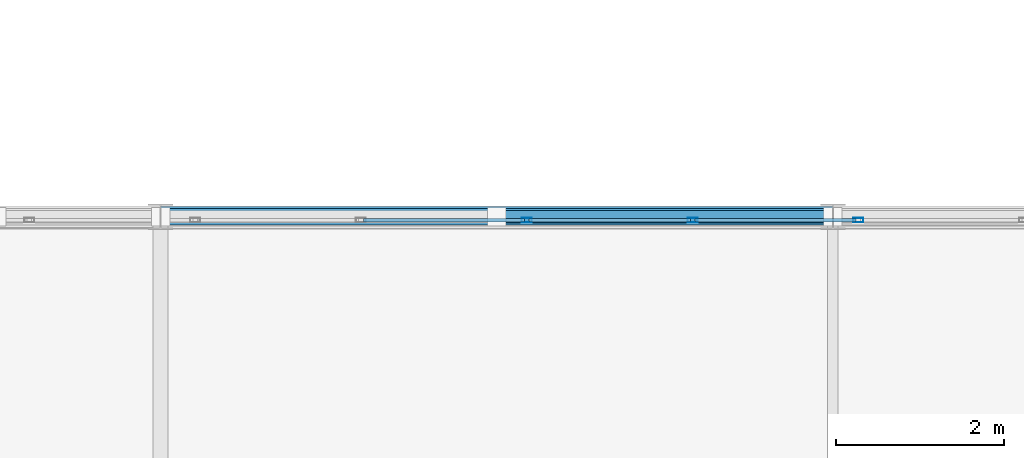
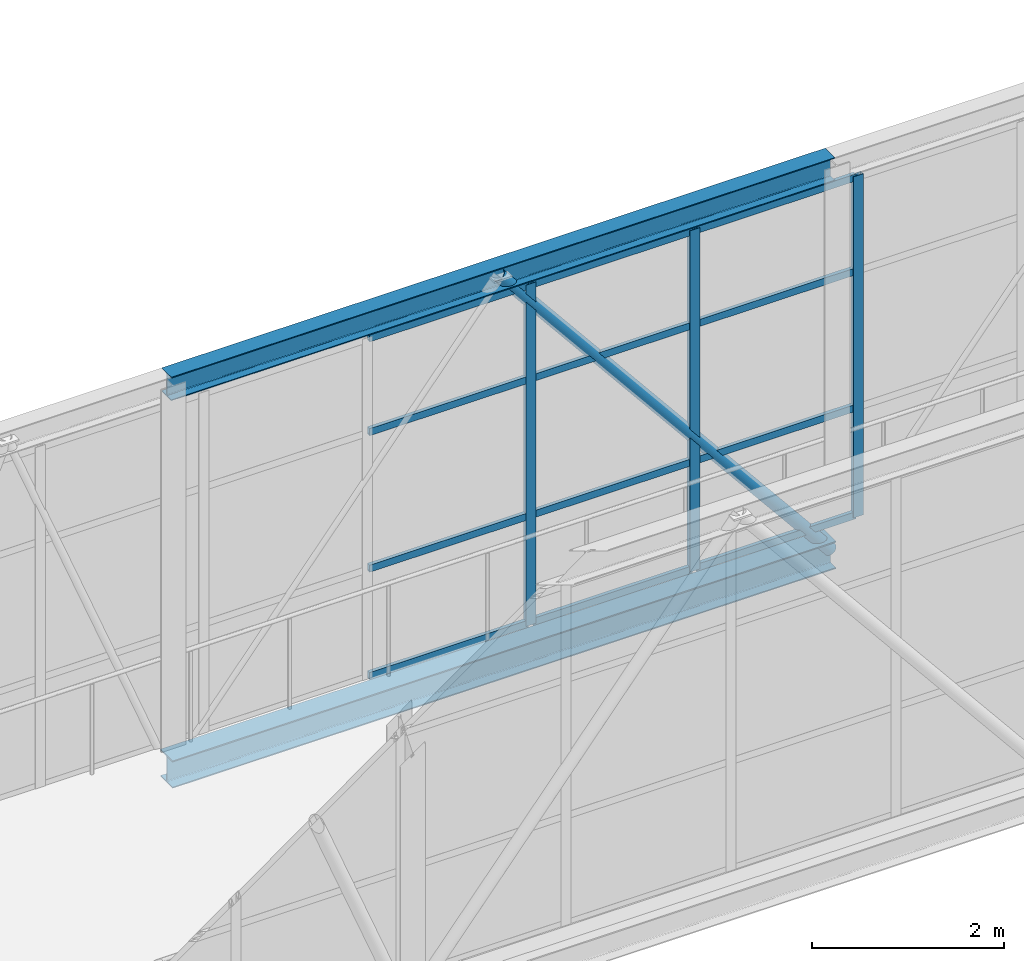
# One storey, part 151 of 248: 18 members, 1 element without a shape of its own.
"""IFC4 building model written with IfcOpenShell, lengths in metres."""

import ifcopenshell
import ifcopenshell.guid

model = None  # the IFC model being written
_history = None  # IfcOwnerHistory: only IFC2X3 demands one
_inside = {}  # id of a spatial element -> (the spatial element, [elements in it])
_under = {}  # id of a project, library or spatial element -> (it, [spatial elements below it])
_declared = {}  # id of a project -> (the project, [libraries it declares])
_typed = {}  # id of a type object -> (the type object, [elements of that type])
_made_of = {}  # id of a material, layer set ... -> (it, [elements and type objects made of it])


def new_model(schema):
    """Start an empty IFC model of exactly this schema.

    Asked for "IFC4X3", IfcOpenShell would pick the latest addendum, in which some entities
    have other attributes; the version numbers below select the first issue.
    IFC2X3 requires an IfcOwnerHistory on every rooted entity: one is made here for all.
    """
    global model, _history
    if schema == "IFC4X3":
        model = ifcopenshell.file(schema_version=(4, 3, 0, 0))
    else:
        model = ifcopenshell.file(schema=schema)
    _inside.clear()
    _under.clear()
    _declared.clear()
    _typed.clear()
    _made_of.clear()
    _history = None
    if model.schema == "IFC2X3":
        org = make("IfcOrganization", Name="unknown")
        user = make(
            "IfcPersonAndOrganization",
            ThePerson=make("IfcPerson", FamilyName="unknown"),
            TheOrganization=org,
        )
        app = make(
            "IfcApplication",
            ApplicationDeveloper=org,
            Version="unknown",
            ApplicationFullName="unknown",
            ApplicationIdentifier="unknown",
        )
        _history = make(
            "IfcOwnerHistory",
            OwningUser=user,
            OwningApplication=app,
            ChangeAction="ADDED",
            CreationDate=0,
        )
    return model


def make(cls, **values):
    """One entity of the class cls with the attributes given. An attribute that is None is left unset."""
    return model.create_entity(
        cls, **{name: value for name, value in values.items() if value is not None}
    )


def rooted(cls, **values):
    """An entity with a GlobalId (a new one), such as an element, a storey or a relation."""
    return make(cls, GlobalId=ifcopenshell.guid.new(), OwnerHistory=_history, **values)


def si_unit(unit_type, name, prefix=None):
    """IfcSIUnit, for example si_unit("LENGTHUNIT", "METRE", prefix="MILLI")."""
    return make("IfcSIUnit", UnitType=unit_type, Prefix=prefix, Name=name)


def assignment(units):
    """IfcUnitAssignment: the units of a project."""
    return None if units is None else make("IfcUnitAssignment", Units=units)


def point(xyz):
    """IfcCartesianPoint."""
    return None if xyz is None else make("IfcCartesianPoint", Coordinates=xyz)


def direction(xyz):
    """IfcDirection."""
    return None if xyz is None else make("IfcDirection", DirectionRatios=xyz)


def frame(location, z_axis=None, x_axis=None):
    """IfcAxis2Placement3D, a coordinate frame: its origin and axes. An axis left out is left unset."""
    return make(
        "IfcAxis2Placement3D",
        Location=point(location),
        Axis=direction(z_axis),
        RefDirection=direction(x_axis),
    )


def frame_2d(location, x_axis=None):
    """IfcAxis2Placement2D, a coordinate frame in the plane: its origin and x axis."""
    return make(
        "IfcAxis2Placement2D", Location=point(location), RefDirection=direction(x_axis)
    )


def origin():
    """The frame at (0, 0, 0) with its axes left unset."""
    return frame((0.0, 0.0, 0.0))


def origin_2d():
    """The frame at (0, 0) in the plane with its x axis left unset."""
    return frame_2d((0.0, 0.0))


def place(relative_to, where):
    """IfcLocalPlacement: puts the frame where relative to a parent placement (None: the world)."""
    return make(
        "IfcLocalPlacement", PlacementRelTo=relative_to, RelativePlacement=where
    )


def context(
    kind, dimensions, precision=None, world=None, true_north=None, identifier=None
):
    """IfcGeometricRepresentationContext, for example the 3D "Model" context."""
    return make(
        "IfcGeometricRepresentationContext",
        ContextIdentifier=identifier,
        ContextType=kind,
        CoordinateSpaceDimension=dimensions,
        Precision=precision,
        WorldCoordinateSystem=world,
        TrueNorth=true_north,
    )


def subcontext(parent, identifier, kind, view, scale=None):
    """IfcGeometricRepresentationSubContext, for example "Body" below "Model"."""
    return make(
        "IfcGeometricRepresentationSubContext",
        ContextIdentifier=identifier,
        ContextType=kind,
        ParentContext=parent,
        TargetScale=scale,
        TargetView=view,
    )


def project(units=None, contexts=None):
    """IfcProject with its units and contexts."""
    return rooted(
        "IfcProject",
        Name="project",
        RepresentationContexts=contexts,
        UnitsInContext=assignment(units),
    )


def spatial(cls, under=None, at=None, **own):
    """A site, building, storey or space (cls), placed at a placement, below another one or the project."""
    s = rooted(cls, ObjectPlacement=at, **own)
    if under is not None:
        _under.setdefault(under.id(), (under, []))[1].append(s)
    return s


def profile(cls, at=None, kind="AREA", **sizes):
    """A parametric profile (cls). Its sizes go by their IFC names, for example OverallWidth=200.0."""
    return make(cls, ProfileType=kind, Position=at, **sizes)


def hollow_rectangle(**sizes):
    """IfcRectangleHollowProfileDef."""
    return profile("IfcRectangleHollowProfileDef", **sizes)


def hollow_circle(**sizes):
    """IfcCircleHollowProfileDef."""
    return profile("IfcCircleHollowProfileDef", **sizes)


def i_section(**sizes):
    """IfcIShapeProfileDef."""
    return profile("IfcIShapeProfileDef", **sizes)


def extrude(swept, where, along, depth):
    """IfcExtrudedAreaSolid: the profile swept, set in the frame where, extruded along a direction by depth."""
    return make(
        "IfcExtrudedAreaSolid",
        SweptArea=swept,
        Position=where,
        ExtrudedDirection=direction(along),
        Depth=depth,
    )


def shape(context_of_items, identifier, shape_type, items):
    """IfcShapeRepresentation: the items that make up one representation, for example the "Body"."""
    return make(
        "IfcShapeRepresentation",
        ContextOfItems=context_of_items,
        RepresentationIdentifier=identifier,
        RepresentationType=shape_type,
        Items=items,
    )


def material(Name=None, Category=None):
    """IfcMaterial."""
    return make("IfcMaterial", Name=Name, Category=Category)


def layer(
    of_material, thickness, ventilated=None, Name=None, Category=None, Priority=None
):
    """IfcMaterialLayer: one layer of a wall or slab, of a material (None: an air gap)."""
    return make(
        "IfcMaterialLayer",
        Material=of_material,
        LayerThickness=thickness,
        IsVentilated=ventilated,
        Name=Name,
        Category=Category,
        Priority=Priority,
    )


def layer_set(layers, Name=None):
    """IfcMaterialLayerSet."""
    return make("IfcMaterialLayerSet", MaterialLayers=layers, LayerSetName=Name)


def material_profile(
    of_material, cross_section, Name=None, Category=None, Priority=None
):
    """IfcMaterialProfile: a cross section and its material."""
    return make(
        "IfcMaterialProfile",
        Name=Name,
        Material=of_material,
        Profile=cross_section,
        Priority=Priority,
        Category=Category,
    )


def profile_set(profiles, Name=None, composite=None):
    """IfcMaterialProfileSet."""
    return make(
        "IfcMaterialProfileSet",
        Name=Name,
        MaterialProfiles=profiles,
        CompositeProfile=composite,
    )


def made_of(thing, what):
    """Note that an element or type object is made of a material, layer set ...; save() writes the relation."""
    if what is not None:
        _made_of.setdefault(what.id(), (what, []))[1].append(thing)
    return thing


def type_object(cls, material=None, **own):
    """A type object (cls), such as IfcWallType, which elements share."""
    return made_of(rooted(cls, **own), material)


def element(
    cls,
    number,
    at=None,
    inside=None,
    cuts=None,
    type_object=None,
    material=None,
    context=None,
    identifier="Body",
    shape_type=None,
    held_by="IfcProductDefinitionShape",
    body=None,
    shapes=None,
    **own,
):
    """One element of the class cls, such as IfcWall. Its Tag is "e" and its number.

    at: its placement. inside: the storey or other place that contains it. cuts: it is an
    opening in that element (IfcRelVoidsElement). A single representation is given by context,
    identifier, shape_type and body (its items); several are given by shapes. held_by: the class
    of the entity that holds the representations. save() writes the other relations.
    """
    e = rooted(cls, Tag="e%d" % number, ObjectPlacement=at, **own)
    if body is not None:
        shapes = [shape(context, identifier, shape_type, body)]
    if shapes is not None:
        e.Representation = make(held_by, Representations=shapes)
    if inside is not None:
        _inside.setdefault(inside.id(), (inside, []))[1].append(e)
    if cuts is not None:
        rooted(
            "IfcRelVoidsElement", RelatingBuildingElement=cuts, RelatedOpeningElement=e
        )
    if type_object is not None:
        _typed.setdefault(type_object.id(), (type_object, []))[1].append(e)
    return made_of(e, material)


def aggregate(whole, parts):
    """IfcRelAggregates: a whole, such as a stair, and the parts it consists of."""
    return rooted("IfcRelAggregates", RelatingObject=whole, RelatedObjects=parts)


def save(model, path):
    """Write the relations noted so far, then the file.

    IfcRelAggregates (storeys below a building ...), IfcRelContainedInSpatialStructure (elements
    in a storey), IfcRelDefinesByType, IfcRelAssociatesMaterial and IfcRelDeclares: one each for
    every whole, place, type object, material and project.
    """
    for whole, parts in _under.values():
        aggregate(whole, parts)
    for where, things in _inside.values():
        rooted(
            "IfcRelContainedInSpatialStructure",
            RelatedElements=things,
            RelatingStructure=where,
        )
    for kind, things in _typed.values():
        rooted("IfcRelDefinesByType", RelatedObjects=things, RelatingType=kind)
    for what, things in _made_of.values():
        rooted("IfcRelAssociatesMaterial", RelatedObjects=things, RelatingMaterial=what)
    for by, libraries in _declared.values():
        rooted("IfcRelDeclares", RelatingContext=by, RelatedDefinitions=libraries)
    model.write(path)


model = new_model("IFC4")

# Units and contexts
model_context = context("Model", 3, precision=1e-05, world=origin(), true_north=direction((0.0, 1.0)))
body_context = subcontext(model_context, "Body", "Model", "MODEL_VIEW")
ifc_project = project(units=[si_unit("LENGTHUNIT", "METRE"), si_unit("AREAUNIT", "SQUARE_METRE"), si_unit("VOLUMEUNIT", "CUBIC_METRE"), si_unit("PLANEANGLEUNIT", "RADIAN"), si_unit("MASSUNIT", "GRAM", prefix="KILO")], contexts=[model_context])

# Site, building, storey
site_placement = place(None, origin())
site = spatial("IfcSite", under=ifc_project, at=site_placement, CompositionType="ELEMENT")
building_placement = place(site_placement, origin())
building = spatial("IfcBuilding", under=site, at=building_placement, Name="Canggui Botanical Conservatory", CompositionType="ELEMENT")
storey_placement = place(building_placement, frame((0.0, 0.0, 5.39990234375)))
storey = spatial("IfcBuildingStorey", under=building, at=storey_placement, Name="L02", CompositionType="ELEMENT", Elevation=5.39990234375)

# Curtain wall, members
ifc_material_1 = material(Name="Thermally Broken Aluminium", Category="aluminium")
ifc_layer = layer(ifc_material_1, 0.1201171875, Name="Thermally Broken Aluminium", Category="aluminium")
ifc_layer_set = layer_set([ifc_layer], Name="Thermally Broken Aluminium")
curtain_wall_type = type_object("IfcCurtainWallType", Name="CW-STICK-B", PredefinedType="USERDEFINED", material=ifc_layer_set)
curtain_wall_placement = place(storey_placement, origin())
curtain_wall = element("IfcCurtainWall", 1, at=curtain_wall_placement, inside=storey, type_object=curtain_wall_type, Name="Facade Curtain Wall CW-SB-04-2", ObjectType="STICK GLAZED WALL", PredefinedType="USERDEFINED")
ifc_material_profile_1 = material_profile(ifc_material_1, hollow_rectangle(XDim=0.054931640625, YDim=0.1201171875, WallThickness=0.0029296875, at=origin_2d()), Name="CWM 55x120x3")
ifc_profile_set_1 = profile_set([ifc_material_profile_1], Name="Thermally Broken Aluminium")
member_type_1 = type_object("IfcMemberType", Name="CWM-05", PredefinedType="MULLION", material=ifc_profile_set_1)
member_1_placement = place(storey_placement, frame((77.85693359375, 79.9599609375, 0.0), z_axis=(0.0, 0.0, 1.0), x_axis=(0.0, 1.0, 0.0)))
member_1 = element("IfcMember", 2, at=member_1_placement, type_object=member_type_1, Name="CW-05 mullion 7", PredefinedType="MULLION", context=body_context, shape_type="SweptSolid", body=[
    extrude(hollow_rectangle(XDim=0.054931640625, YDim=0.1201171875, WallThickness=0.0029296875, at=origin_2d()), origin(), (0.0, 0.0, 1.0), 4.35009765625),
])
member_2_placement = place(storey_placement, frame((79.82958984375, 79.9599609375, 0.0), z_axis=(0.0, 0.0, 1.0), x_axis=(0.0, 1.0, 0.0)))
member_2 = element("IfcMember", 3, at=member_2_placement, type_object=member_type_1, Name="CW-05 mullion 8", PredefinedType="MULLION", context=body_context, shape_type="SweptSolid", body=[
    extrude(hollow_rectangle(XDim=0.054931640625, YDim=0.1201171875, WallThickness=0.0029296875, at=origin_2d()), origin(), (0.0, 0.0, 1.0), 4.35009765625),
])
member_3_placement = place(storey_placement, frame((81.802490234375, 79.9599609375, 0.0), z_axis=(0.0, 0.0, 1.0), x_axis=(0.0, 1.0, 0.0)))
member_3 = element("IfcMember", 4, at=member_3_placement, type_object=member_type_1, Name="CW-05 mullion 9", PredefinedType="MULLION", context=body_context, shape_type="SweptSolid", body=[
    extrude(hollow_rectangle(XDim=0.054931640625, YDim=0.1201171875, WallThickness=0.0029296875, at=origin_2d()), origin(), (0.0, 0.0, 1.0), 4.35009765625),
])
ifc_material_profile_2 = material_profile(ifc_material_1, hollow_rectangle(XDim=0.044921875, YDim=0.090087890625, WallThickness=0.0029296875, at=origin_2d()), Name="CWT 45x90x3")
ifc_profile_set_2 = profile_set([ifc_material_profile_2], Name="Thermally Broken Aluminium")
member_type_2 = type_object("IfcMemberType", Name="CWT-05", PredefinedType="USERDEFINED", material=ifc_profile_set_2)
member_4_placement = place(storey_placement, frame((75.91162109375, 79.9599609375, 0.022705078125), z_axis=(1.0, 0.0, 0.0), x_axis=(0.0, 1.0, 0.0)))
member_4 = element("IfcMember", 5, at=member_4_placement, type_object=member_type_2, Name="CW-05 transom 6.1", ObjectType="TRANSOM", PredefinedType="USERDEFINED", context=body_context, shape_type="SweptSolid", body=[
    extrude(hollow_rectangle(XDim=0.044921875, YDim=0.090087890625, WallThickness=0.0029296875, at=origin_2d()), origin(), (0.0, 0.0, 1.0), 1.917724609375),
])
member_5_placement = place(storey_placement, frame((75.91162109375, 79.9599609375, 1.39208984375), z_axis=(1.0, 0.0, 0.0), x_axis=(0.0, 1.0, 0.0)))
member_5 = element("IfcMember", 6, at=member_5_placement, type_object=member_type_2, Name="CW-05 transom 6.2", ObjectType="TRANSOM", PredefinedType="USERDEFINED", context=body_context, shape_type="SweptSolid", body=[
    extrude(hollow_rectangle(XDim=0.044921875, YDim=0.090087890625, WallThickness=0.0029296875, at=origin_2d()), origin(), (0.0, 0.0, 1.0), 1.917724609375),
])
member_6_placement = place(storey_placement, frame((75.91162109375, 79.9599609375, 3.132080078125), z_axis=(1.0, 0.0, 0.0), x_axis=(0.0, 1.0, 0.0)))
member_6 = element("IfcMember", 7, at=member_6_placement, type_object=member_type_2, Name="CW-05 transom 6.3", ObjectType="TRANSOM", PredefinedType="USERDEFINED", context=body_context, shape_type="SweptSolid", body=[
    extrude(hollow_rectangle(XDim=0.044921875, YDim=0.090087890625, WallThickness=0.0029296875, at=origin_2d()), origin(), (0.0, 0.0, 1.0), 1.917724609375),
])
member_7_placement = place(storey_placement, frame((75.91162109375, 79.9599609375, 4.32763671875), z_axis=(1.0, 0.0, 0.0), x_axis=(0.0, 1.0, 0.0)))
member_7 = element("IfcMember", 8, at=member_7_placement, type_object=member_type_2, Name="CW-05 transom 6.4", ObjectType="TRANSOM", PredefinedType="USERDEFINED", context=body_context, shape_type="SweptSolid", body=[
    extrude(hollow_rectangle(XDim=0.044921875, YDim=0.090087890625, WallThickness=0.0029296875, at=origin_2d()), origin(), (0.0, 0.0, 1.0), 1.917724609375),
])
member_8_placement = place(storey_placement, frame((77.88427734375, 79.9599609375, 0.022705078125), z_axis=(1.0, 0.0, 0.0), x_axis=(0.0, 1.0, 0.0)))
member_8 = element("IfcMember", 9, at=member_8_placement, type_object=member_type_2, Name="CW-05 transom 7.1", ObjectType="TRANSOM", PredefinedType="USERDEFINED", context=body_context, shape_type="SweptSolid", body=[
    extrude(hollow_rectangle(XDim=0.044921875, YDim=0.090087890625, WallThickness=0.0029296875, at=origin_2d()), origin(), (0.0, 0.0, 1.0), 1.91796875),
])
member_9_placement = place(storey_placement, frame((77.88427734375, 79.9599609375, 1.39208984375), z_axis=(1.0, 0.0, 0.0), x_axis=(0.0, 1.0, 0.0)))
member_9 = element("IfcMember", 10, at=member_9_placement, type_object=member_type_2, Name="CW-05 transom 7.2", ObjectType="TRANSOM", PredefinedType="USERDEFINED", context=body_context, shape_type="SweptSolid", body=[
    extrude(hollow_rectangle(XDim=0.044921875, YDim=0.090087890625, WallThickness=0.0029296875, at=origin_2d()), origin(), (0.0, 0.0, 1.0), 1.91796875),
])
member_10_placement = place(storey_placement, frame((77.88427734375, 79.9599609375, 3.132080078125), z_axis=(1.0, 0.0, 0.0), x_axis=(0.0, 1.0, 0.0)))
member_10 = element("IfcMember", 11, at=member_10_placement, type_object=member_type_2, Name="CW-05 transom 7.3", ObjectType="TRANSOM", PredefinedType="USERDEFINED", context=body_context, shape_type="SweptSolid", body=[
    extrude(hollow_rectangle(XDim=0.044921875, YDim=0.090087890625, WallThickness=0.0029296875, at=origin_2d()), origin(), (0.0, 0.0, 1.0), 1.91796875),
])
member_11_placement = place(storey_placement, frame((77.88427734375, 79.9599609375, 4.32763671875), z_axis=(1.0, 0.0, 0.0), x_axis=(0.0, 1.0, 0.0)))
member_11 = element("IfcMember", 12, at=member_11_placement, type_object=member_type_2, Name="CW-05 transom 7.4", ObjectType="TRANSOM", PredefinedType="USERDEFINED", context=body_context, shape_type="SweptSolid", body=[
    extrude(hollow_rectangle(XDim=0.044921875, YDim=0.090087890625, WallThickness=0.0029296875, at=origin_2d()), origin(), (0.0, 0.0, 1.0), 1.91796875),
])
member_12_placement = place(storey_placement, frame((79.857177734375, 79.9599609375, 0.022705078125), z_axis=(1.0, 0.0, 0.0), x_axis=(0.0, 1.0, 0.0)))
member_12 = element("IfcMember", 13, at=member_12_placement, type_object=member_type_2, Name="CW-05 transom 8.1", ObjectType="TRANSOM", PredefinedType="USERDEFINED", context=body_context, shape_type="SweptSolid", body=[
    extrude(hollow_rectangle(XDim=0.044921875, YDim=0.090087890625, WallThickness=0.0029296875, at=origin_2d()), origin(), (0.0, 0.0, 1.0), 1.917724609375),
])
member_13_placement = place(storey_placement, frame((79.857177734375, 79.9599609375, 1.39208984375), z_axis=(1.0, 0.0, 0.0), x_axis=(0.0, 1.0, 0.0)))
member_13 = element("IfcMember", 14, at=member_13_placement, type_object=member_type_2, Name="CW-05 transom 8.2", ObjectType="TRANSOM", PredefinedType="USERDEFINED", context=body_context, shape_type="SweptSolid", body=[
    extrude(hollow_rectangle(XDim=0.044921875, YDim=0.090087890625, WallThickness=0.0029296875, at=origin_2d()), origin(), (0.0, 0.0, 1.0), 1.917724609375),
])
member_14_placement = place(storey_placement, frame((79.857177734375, 79.9599609375, 3.132080078125), z_axis=(1.0, 0.0, 0.0), x_axis=(0.0, 1.0, 0.0)))
member_14 = element("IfcMember", 15, at=member_14_placement, type_object=member_type_2, Name="CW-05 transom 8.3", ObjectType="TRANSOM", PredefinedType="USERDEFINED", context=body_context, shape_type="SweptSolid", body=[
    extrude(hollow_rectangle(XDim=0.044921875, YDim=0.090087890625, WallThickness=0.0029296875, at=origin_2d()), origin(), (0.0, 0.0, 1.0), 1.917724609375),
])
member_15_placement = place(storey_placement, frame((79.857177734375, 79.9599609375, 4.32763671875), z_axis=(1.0, 0.0, 0.0), x_axis=(0.0, 1.0, 0.0)))
member_15 = element("IfcMember", 16, at=member_15_placement, type_object=member_type_2, Name="CW-05 transom 8.4", ObjectType="TRANSOM", PredefinedType="USERDEFINED", context=body_context, shape_type="SweptSolid", body=[
    extrude(hollow_rectangle(XDim=0.044921875, YDim=0.090087890625, WallThickness=0.0029296875, at=origin_2d()), origin(), (0.0, 0.0, 1.0), 1.917724609375),
])
aggregate(curtain_wall, [member_1, member_2, member_3, member_4, member_5, member_6, member_7, member_8, member_9, member_10, member_11, member_12, member_13, member_14, member_15])

# Members
ifc_material_2 = material(Name="Steel Q355C", Category="steel")
ifc_material_profile_3 = material_profile(ifc_material_2, hollow_circle(Radius=0.075927734375, WallThickness=0.006103515625, at=origin_2d()), Name="CHS 152x6")
ifc_profile_set_3 = profile_set([ifc_material_profile_3], Name="Steel Q355C")
member_type_3 = type_object("IfcMemberType", Name="MEM-GSD04", PredefinedType="RAFTER", material=ifc_profile_set_3)
member_16_placement = place(storey_placement, frame((77.5, 80.0, 4.550048828125), z_axis=(0.632384053133, 0.0, -0.774655026024), x_axis=(0.0, 1.0, 0.0)))
element("IfcMember", 17, at=member_16_placement, inside=storey, type_object=member_type_3, Name="SB-04 Truss Web Rafter 2.3B", PredefinedType="RAFTER", context=body_context, shape_type="SweptSolid", body=[
    extrude(hollow_circle(Radius=0.075927734375, WallThickness=0.006103515625, at=origin_2d()), origin(), (0.0, 0.0, 1.0), 6.3251953125),
])
ifc_material_3 = material(Name="Steel Q355B", Category="steel")
ifc_material_profile_4 = material_profile(ifc_material_3, i_section(OverallWidth=0.25, OverallDepth=0.35009765625, WebThickness=0.009033203125, FlangeThickness=0.013916015625, FilletRadius=0.02001953125, at=origin_2d()), Name="HM 350x250x9x14")
ifc_profile_set_4 = profile_set([ifc_material_profile_4], Name="Steel Q355B")
member_type_4 = type_object("IfcMemberType", Name="MEM-TC03", PredefinedType="CHORD", material=ifc_profile_set_4)
member_17_placement = place(storey_placement, frame((73.5, 80.0, -0.349853515625), z_axis=(1.0, 0.0, 0.0), x_axis=(0.0, 1.0, 0.0)))
element("IfcMember", 18, at=member_17_placement, inside=storey, type_object=member_type_4, Name="SB-04 Deck Truss Bottom Chord 2.3", PredefinedType="CHORD", context=body_context, shape_type="SweptSolid", body=[
    extrude(i_section(OverallWidth=0.25, OverallDepth=0.35009765625, WebThickness=0.009033203125, FlangeThickness=0.013916015625, FilletRadius=0.02001953125, at=origin_2d()), origin(), (0.0, 0.0, 1.0), 8.0),
])
ifc_material_profile_5 = material_profile(ifc_material_3, i_section(OverallWidth=0.199951171875, OverallDepth=0.300048828125, WebThickness=0.008056640625, FlangeThickness=0.011962890625, FilletRadius=0.01806640625, at=origin_2d()), Name="HM 300x200x8x12")
ifc_profile_set_5 = profile_set([ifc_material_profile_5], Name="Steel Q355B")
member_type_5 = type_object("IfcMemberType", Name="MEM-TC04", PredefinedType="CHORD", material=ifc_profile_set_5)
member_18_placement = place(storey_placement, frame((73.5, 80.0, 4.550048828125), z_axis=(1.0, 0.0, 0.0), x_axis=(0.0, 1.0, 0.0)))
element("IfcMember", 19, at=member_18_placement, inside=storey, type_object=member_type_5, Name="SB-04 Roof Truss Top Chord 2.3", PredefinedType="CHORD", context=body_context, shape_type="SweptSolid", body=[
    extrude(i_section(OverallWidth=0.199951171875, OverallDepth=0.300048828125, WebThickness=0.008056640625, FlangeThickness=0.011962890625, FilletRadius=0.01806640625, at=origin_2d()), origin(), (0.0, 0.0, 1.0), 8.0),
])

save(model, "model.ifc")
